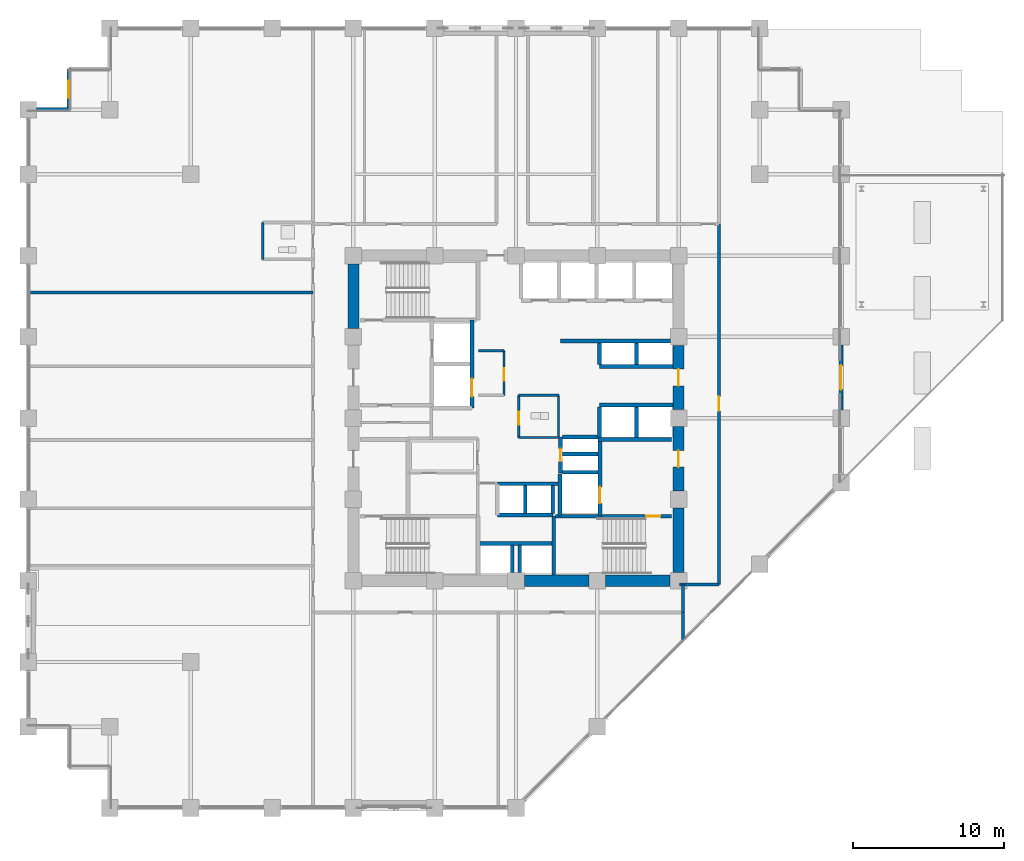
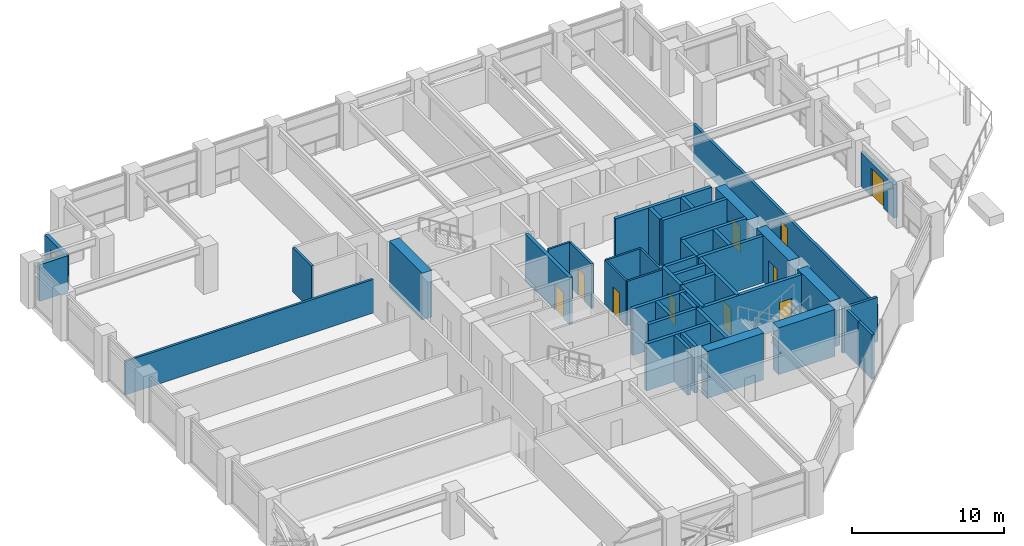
# One storey, part 21 of 30: 45 walls, 10 doors, 1 window, 11 openings.
"""IFC4 building model written with IfcOpenShell, lengths in metres."""

from ifc_helpers import new_model, si_unit, direction, frame, frame_2d, origin, place, context, subcontext, project, spatial, rectangle, extrude, material, layer, layer_set, type_object, element, fill, save


model = new_model("IFC4")

# Units and contexts
model_context = context("Model", 3, precision=1e-05, world=origin(), true_north=direction((0.0, 1.0)))
body_context = subcontext(model_context, "Body", "Model", "MODEL_VIEW")
ifc_project = project(units=[si_unit("LENGTHUNIT", "METRE"), si_unit("AREAUNIT", "SQUARE_METRE"), si_unit("VOLUMEUNIT", "CUBIC_METRE"), si_unit("PLANEANGLEUNIT", "RADIAN"), si_unit("MASSUNIT", "GRAM", prefix="KILO")], contexts=[model_context])

# Site, building, storey
site_placement = place(None, origin())
site = spatial("IfcSite", under=ifc_project, at=site_placement, CompositionType="ELEMENT")
building_placement = place(site_placement, origin())
building = spatial("IfcBuilding", under=site, at=building_placement, Name="Surkhivell Harbour Commons", CompositionType="ELEMENT")
storey_placement = place(building_placement, frame((0.0, 0.0, 83.25)))
storey = spatial("IfcBuildingStorey", under=building, at=storey_placement, Name="L21", CompositionType="ELEMENT", Elevation=83.25)

# Wall
ifc_material_1 = material(Name="Concrete C60/75", Category="concrete")
ifc_layer_1 = layer(ifc_material_1, 0.75)
ifc_layer_set_1 = layer_set([ifc_layer_1], Name="Concrete C60/75")
wall_type_1 = type_object("IfcWallType", Name="WAL-CORE-750", PredefinedType="SHEAR", material=ifc_layer_set_1)
wall_1_placement = place(storey_placement, frame((10.800048828125, -10.239990234375, 0.0), z_axis=(0.0, 0.0, 1.0), x_axis=(0.0, 1.0, 0.0)))
element("IfcWall", 1, at=wall_1_placement, inside=storey, type_object=wall_type_1, Name="L21 Core Shear Wall East 1", PredefinedType="SHEAR", context=body_context, shape_type="SweptSolid", body=[
    extrude(rectangle(XDim=4.280029296875, YDim=0.75, at=frame_2d((2.14013671875, 0.0))), origin(), (0.0, 0.0, 1.0), 3.75),
])

# Wall, opening, door
wall_2_placement = place(storey_placement, frame((10.800048828125, -4.840087890625, 0.0), z_axis=(0.0, 0.0, 1.0), x_axis=(0.0, 1.0, 0.0)))
wall_2 = element("IfcWall", 2, at=wall_2_placement, inside=storey, type_object=wall_type_1, Name="L21 Core Shear Wall East 2", PredefinedType="SHEAR", context=body_context, shape_type="SweptSolid", body=[
    extrude(rectangle(XDim=4.280029296875, YDim=0.75, at=frame_2d((2.14013671875, 0.0))), origin(), (0.0, 0.0, 1.0), 3.75),
])
opening_1_placement = place(wall_2_placement, frame((1.590087890625, 0.0, 0.0)))
opening_1 = element("IfcOpeningElement", 3, at=opening_1_placement, cuts=wall_2, Name="Opening ID-1", PredefinedType="OPENING", context=body_context, shape_type="SweptSolid", body=[
    extrude(rectangle(XDim=1.10009765625, YDim=2.10009765625, at=frame_2d((0.550048828125, 1.050048828125))), frame((0.0, 0.385009765625, 0.0), z_axis=(0.0, -1.0, 0.0), x_axis=(1.0, 0.0, 0.0)), (0.0, 0.0, 1.0), 0.77001953125),
])
ifc_material_2 = material(Name="Hardwood-veneered fire-rated door leaf", Category="wood")
door_type_1 = type_object("IfcDoorType", Name="DOR-FD120-1100", OperationType="NOTDEFINED", PredefinedType="DOOR", material=ifc_material_2)
door_1_placement = place(opening_1_placement, origin())
door_1 = element("IfcDoor", 4, at=door_1_placement, inside=storey, type_object=door_type_1, Name="L21 Firefighting Lobby 2 Corridor Door", OperationType="SINGLE_SWING_RIGHT", OverallHeight=2.10009765625, OverallWidth=1.10009765625, PredefinedType="DOOR", context=body_context, shape_type="SweptSolid", body=[
    extrude(rectangle(XDim=1.10009765625, YDim=2.10009765625, at=frame_2d((0.550048828125, 1.050048828125))), frame((0.0, 0.02490234375, 0.0), z_axis=(0.0, -1.0, 0.0), x_axis=(1.0, 0.0, 0.0)), (0.0, 0.0, 1.0), 0.050048828125),
])
fill(opening_1, door_1)

# Wall
wall_3_placement = place(storey_placement, frame((0.56005859375, -10.800048828125, 0.0), z_axis=(0.0, 0.0, 1.0), x_axis=(1.0, 0.0, 0.0)))
element("IfcWall", 5, at=wall_3_placement, inside=storey, type_object=wall_type_1, Name="L21 Core Shear Wall South 3", PredefinedType="SHEAR", context=body_context, shape_type="SweptSolid", body=[
    extrude(rectangle(XDim=4.280029296875, YDim=0.75, at=frame_2d((2.14013671875, 0.0))), origin(), (0.0, 0.0, 1.0), 3.75),
])

# Wall, opening, door
wall_4_placement = place(storey_placement, frame((10.800048828125, 0.56005859375, 0.0), z_axis=(0.0, 0.0, 1.0), x_axis=(0.0, 1.0, 0.0)))
wall_4 = element("IfcWall", 6, at=wall_4_placement, inside=storey, type_object=wall_type_1, Name="L21 Core Shear Wall East 3", PredefinedType="SHEAR", context=body_context, shape_type="SweptSolid", body=[
    extrude(rectangle(XDim=4.280029296875, YDim=0.75, at=frame_2d((2.14013671875, 0.0))), origin(), (0.0, 0.0, 1.0), 3.75),
])
opening_2_placement = place(wall_4_placement, frame((1.590087890625, 0.0, 0.0)))
opening_2 = element("IfcOpeningElement", 7, at=opening_2_placement, cuts=wall_4, Name="Opening ID-2", PredefinedType="OPENING", context=body_context, shape_type="SweptSolid", body=[
    extrude(rectangle(XDim=1.10009765625, YDim=2.10009765625, at=frame_2d((0.550048828125, 1.050048828125))), frame((0.0, 0.385009765625, 0.0), z_axis=(0.0, -1.0, 0.0), x_axis=(1.0, 0.0, 0.0)), (0.0, 0.0, 1.0), 0.77001953125),
])
door_type_2 = type_object("IfcDoorType", Name="DOR-FD60-1100", OperationType="NOTDEFINED", PredefinedType="DOOR", material=ifc_material_2)
door_2_placement = place(opening_2_placement, origin())
door_2 = element("IfcDoor", 8, at=door_2_placement, inside=storey, type_object=door_type_2, Name="L21 Mid-Rise Lobby East Door", OperationType="SINGLE_SWING_LEFT", OverallHeight=2.10009765625, OverallWidth=1.10009765625, PredefinedType="DOOR", context=body_context, shape_type="SweptSolid", body=[
    extrude(rectangle(XDim=1.10009765625, YDim=2.10009765625, at=frame_2d((0.550048828125, 1.050048828125))), frame((0.0, 0.02490234375, 0.0), z_axis=(0.0, -1.0, 0.0), x_axis=(1.0, 0.0, 0.0)), (0.0, 0.0, 1.0), 0.050048828125),
])
fill(opening_2, door_2)

# Walls
for number, where, z_axis, x_axis, name in (
    (9, (5.9599609375, -10.800048828125, 0.0), (0.0, 0.0, 1.0), (1.0, 0.0, 0.0), "L21 Core Shear Wall South 4"),
    (10, (-10.800048828125, 5.9599609375, 0.0), (0.0, 0.0, 1.0), (0.0, 1.0, 0.0), "L21 Core Shear Wall West 4"),
):
    element("IfcWall", number, at=place(storey_placement, frame(where, z_axis=z_axis, x_axis=x_axis)), inside=storey, type_object=wall_type_1, Name=name, PredefinedType="SHEAR", context=body_context, shape_type="SweptSolid", body=[
        extrude(rectangle(XDim=4.280029296875, YDim=0.75, at=frame_2d((2.14013671875, 0.0))), origin(), (0.0, 0.0, 1.0), 3.75),
    ])

# Wall, opening, door
ifc_material_3 = material(Name="Terracotta-clad reinforced concrete C45/55", Category="masonry")
ifc_layer_2 = layer(ifc_material_3, 0.280029296875)
ifc_layer_set_2 = layer_set([ifc_layer_2], Name="Terracotta-clad reinforced concrete C45/55")
wall_type_2 = type_object("IfcWallType", Name="WAL-EXT-TER280", PredefinedType="STANDARD", material=ifc_layer_set_2)
wall_5_placement = place(storey_placement, frame((21.60009765625, 4.85205078125, 0.0), z_axis=(0.0, 0.0, 1.0), x_axis=(0.0, -1.0, 0.0)))
wall_5 = element("IfcWall", 11, at=wall_5_placement, inside=storey, type_object=wall_type_2, Name="L21 Sky-Garden Portal Wall", PredefinedType="STANDARD", context=body_context, shape_type="SweptSolid", body=[
    extrude(rectangle(XDim=4.303955078125, YDim=0.280029296875, at=frame_2d((2.15185546875, 0.0))), origin(), (0.0, 0.0, 1.0), 2.698974609375),
])
opening_3_placement = place(wall_5_placement, frame((1.35205078125, 0.0, 0.0)))
opening_3 = element("IfcOpeningElement", 12, at=opening_3_placement, cuts=wall_5, Name="Opening ED-3", PredefinedType="OPENING", context=body_context, shape_type="SweptSolid", body=[
    extrude(rectangle(XDim=1.60009765625, YDim=2.25, at=frame_2d((0.800048828125, 1.125))), frame((0.0, 0.14990234375, 0.0), z_axis=(0.0, -1.0, 0.0), x_axis=(1.0, 0.0, 0.0)), (0.0, 0.0, 1.0), 0.300048828125),
])
ifc_material_4 = material(Name="Anodised pale-metal aluminium and laminated safety glass", Category="aluminium")
door_type_3 = type_object("IfcDoorType", Name="DOR-EXT-TERR1600", OperationType="DOUBLE_DOOR_SINGLE_SWING", PredefinedType="DOOR", material=ifc_material_4)
door_3_placement = place(opening_3_placement, origin())
door_3 = element("IfcDoor", 13, at=door_3_placement, inside=storey, type_object=door_type_3, Name="L21 Sky-Garden Terrace Double Door", OperationType="DOUBLE_DOOR_SINGLE_SWING", OverallHeight=2.25, OverallWidth=1.60009765625, PredefinedType="DOOR", context=body_context, shape_type="SweptSolid", body=[
    extrude(rectangle(XDim=1.60009765625, YDim=2.25, at=frame_2d((0.800048828125, 1.125))), frame((0.0, 0.02490234375, 0.0), z_axis=(0.0, -1.0, 0.0), x_axis=(1.0, 0.0, 0.0)), (0.0, 0.0, 1.0), 0.050048828125),
])
fill(opening_3, door_3)

# Wall, opening, window
wall_6_placement = place(storey_placement, frame((-29.699951171875, 23.199951171875, 0.0), z_axis=(0.0, 0.0, 1.0), x_axis=(0.0, -1.0, 0.0)))
wall_6 = element("IfcWall", 14, at=wall_6_placement, inside=storey, type_object=wall_type_2, Name="L21 Serrated Corner Facade Wall 10", PredefinedType="STANDARD", context=body_context, shape_type="SweptSolid", body=[
    extrude(rectangle(XDim=2.699951171875, YDim=0.280029296875, at=frame_2d((1.35009765625, 0.0))), origin(), (0.0, 0.0, 1.0), 2.93310546875),
])
opening_4_placement = place(wall_6_placement, frame((0.77490234375, 0.0, 0.64990234375)))
opening_4 = element("IfcOpeningElement", 15, at=opening_4_placement, cuts=wall_6, Name="Opening WN-10", PredefinedType="OPENING", context=body_context, shape_type="SweptSolid", body=[
    extrude(rectangle(XDim=1.14990234375, YDim=1.550048828125, at=frame_2d((0.574951171875, 0.77490234375))), frame((0.0, 0.14990234375, 0.0), z_axis=(0.0, -1.0, 0.0), x_axis=(1.0, 0.0, 0.0)), (0.0, 0.0, 1.0), 0.300048828125),
])
ifc_material_5 = material(Name="Thermal-break aluminium frame and double low-E glazing", Category="aluminium")
window_type = type_object("IfcWindowType", Name="WIN-SER-1150x1550", PartitioningType="SINGLE_PANEL", PredefinedType="WINDOW", material=ifc_material_5)
window_placement = place(opening_4_placement, origin())
window = element("IfcWindow", 16, at=window_placement, inside=storey, type_object=window_type, Name="L21 Serrated Alcove Window 10", OverallHeight=1.550048828125, OverallWidth=1.14990234375, PartitioningType="SINGLE_PANEL", PredefinedType="WINDOW", context=body_context, shape_type="SweptSolid", body=[
    extrude(rectangle(XDim=1.14990234375, YDim=1.550048828125, at=frame_2d((0.574951171875, 0.77490234375))), frame((0.0, 0.030029296875, 0.0), z_axis=(0.0, -1.0, 0.0), x_axis=(1.0, 0.0, 0.0)), (0.0, 0.0, 1.0), 0.06005859375),
])
fill(opening_4, window)

# Walls
wall_7_placement = place(storey_placement, frame((-29.699951171875, 20.5, 0.0), z_axis=(0.0, 0.0, 1.0), x_axis=(-1.0, 0.0, 0.0)))
element("IfcWall", 17, at=wall_7_placement, inside=storey, type_object=wall_type_2, Name="L21 Serrated Corner Facade Wall 11", PredefinedType="STANDARD", context=body_context, shape_type="SweptSolid", body=[
    extrude(rectangle(XDim=2.152099609375, YDim=0.280029296875, at=frame_2d((1.076171875, 0.0))), origin(), (0.0, 0.0, 1.0), 2.93310546875),
])
ifc_material_6 = material(Name="Twin-stud acoustic fireboard partition", Category="other")
ifc_layer_3 = layer(ifc_material_6, 0.14990234375)
ifc_layer_set_3 = layer_set([ifc_layer_3], Name="Twin-stud acoustic fireboard partition")
wall_type_3 = type_object("IfcWallType", Name="WAL-INT-150", PredefinedType="PARTITIONING", material=ifc_layer_set_3)
wall_8_placement = place(storey_placement, frame((2.820068359375, -1.25, 0.0), z_axis=(0.0, 0.0, 1.0), x_axis=(0.0, 1.0, 0.0)))
element("IfcWall", 18, at=wall_8_placement, inside=storey, type_object=wall_type_3, Name="L21 Core WC East Wall", PredefinedType="PARTITIONING", context=body_context, shape_type="SweptSolid", body=[
    extrude(rectangle(XDim=2.77001953125, YDim=0.14990234375, at=frame_2d((1.385009765625, 0.0))), origin(), (0.0, 0.0, 1.0), 3.570068359375),
])
for number, where, z_axis, x_axis, name in (
    (19, (0.179931640625, 1.52001953125, 0.0), (0.0, 0.0, 1.0), (1.0, 0.0, 0.0), "L21 Core WC North Wall"),
    (20, (0.179931640625, -1.280029296875, 0.0), (0.0, 0.0, 1.0), (1.0, 0.0, 0.0), "L21 Core WC South Wall"),
):
    element("IfcWall", number, at=place(storey_placement, frame(where, z_axis=z_axis, x_axis=x_axis)), inside=storey, type_object=wall_type_3, Name=name, PredefinedType="PARTITIONING", context=body_context, shape_type="SweptSolid", body=[
        extrude(rectangle(XDim=2.670166015625, YDim=0.14990234375, at=frame_2d((1.3349609375, 0.0))), origin(), (0.0, 0.0, 1.0), 3.570068359375),
    ])

# Wall, opening, door
wall_9_placement = place(storey_placement, frame((0.179931640625, -1.280029296875, 0.0), z_axis=(0.0, 0.0, 1.0), x_axis=(0.0, 1.0, 0.0)))
wall_9 = element("IfcWall", 21, at=wall_9_placement, inside=storey, type_object=wall_type_3, Name="L21 Core Accessible WC West Wall", PredefinedType="PARTITIONING", context=body_context, shape_type="SweptSolid", body=[
    extrude(rectangle(XDim=2.800048828125, YDim=0.14990234375, at=frame_2d((1.39990234375, 0.0))), origin(), (0.0, 0.0, 1.0), 3.570068359375),
])
opening_5_placement = place(wall_9_placement, frame((0.85009765625, 0.0, 0.0)))
opening_5 = element("IfcOpeningElement", 22, at=opening_5_placement, cuts=wall_9, Name="Opening ID-6", PredefinedType="OPENING", context=body_context, shape_type="SweptSolid", body=[
    extrude(rectangle(XDim=0.85009765625, YDim=2.10009765625, at=frame_2d((0.425048828125, 1.050048828125))), frame((0.0, 0.0849609375, 0.0), z_axis=(0.0, -1.0, 0.0), x_axis=(1.0, 0.0, 0.0)), (0.0, 0.0, 1.0), 0.169921875),
])
door_type_4 = type_object("IfcDoorType", Name="DOR-FD30-850", OperationType="NOTDEFINED", PredefinedType="DOOR", material=ifc_material_2)
door_4_placement = place(opening_5_placement, origin())
door_4 = element("IfcDoor", 23, at=door_4_placement, inside=storey, type_object=door_type_4, Name="L21 Floor Accessible WC Door", OperationType="SINGLE_SWING_RIGHT", OverallHeight=2.10009765625, OverallWidth=0.85009765625, PredefinedType="DOOR", context=body_context, shape_type="SweptSolid", body=[
    extrude(rectangle(XDim=0.85009765625, YDim=2.10009765625, at=frame_2d((0.425048828125, 1.050048828125))), frame((0.0, 0.02490234375, 0.0), z_axis=(0.0, -1.0, 0.0), x_axis=(1.0, 0.0, 0.0)), (0.0, 0.0, 1.0), 0.050048828125),
])
fill(opening_5, door_4)

wall_10_placement = place(storey_placement, frame((-0.800048828125, 1.52001953125, 0.0), z_axis=(0.0, 0.0, 1.0), x_axis=(0.0, 1.0, 0.0)))
wall_10 = element("IfcWall", 24, at=wall_10_placement, inside=storey, type_object=wall_type_3, Name="L21 Core Seminar East Wall", PredefinedType="PARTITIONING", context=body_context, shape_type="SweptSolid", body=[
    extrude(rectangle(XDim=2.9599609375, YDim=0.14990234375, at=frame_2d((1.47998046875, 0.0))), origin(), (0.0, 0.0, 1.0), 3.570068359375),
])
opening_6_placement = place(wall_10_placement, frame((0.949951171875, 0.0, 0.0)))
opening_6 = element("IfcOpeningElement", 25, at=opening_6_placement, cuts=wall_10, Name="Opening ID-6", PredefinedType="OPENING", context=body_context, shape_type="SweptSolid", body=[
    extrude(rectangle(XDim=0.85009765625, YDim=2.10009765625, at=frame_2d((0.425048828125, 1.050048828125))), frame((0.0, 0.0849609375, 0.0), z_axis=(0.0, -1.0, 0.0), x_axis=(1.0, 0.0, 0.0)), (0.0, 0.0, 1.0), 0.169921875),
])
door_5_placement = place(opening_6_placement, origin())
door_5 = element("IfcDoor", 26, at=door_5_placement, inside=storey, type_object=door_type_4, Name="L21 Central Seminar Door", OperationType="SINGLE_SWING_LEFT", OverallHeight=2.10009765625, OverallWidth=0.85009765625, PredefinedType="DOOR", context=body_context, shape_type="SweptSolid", body=[
    extrude(rectangle(XDim=0.85009765625, YDim=2.10009765625, at=frame_2d((0.425048828125, 1.050048828125))), frame((0.0, 0.02490234375, 0.0), z_axis=(0.0, -1.0, 0.0), x_axis=(1.0, 0.0, 0.0)), (0.0, 0.0, 1.0), 0.050048828125),
])
fill(opening_6, door_5)

# Walls
wall_11_placement = place(storey_placement, frame((-2.47998046875, 4.47998046875, 0.0), z_axis=(0.0, 0.0, 1.0), x_axis=(1.0, 0.0, 0.0)))
element("IfcWall", 27, at=wall_11_placement, inside=storey, type_object=wall_type_3, Name="L21 Core Seminar North Wall", PredefinedType="PARTITIONING", context=body_context, shape_type="SweptSolid", body=[
    extrude(rectangle(XDim=1.679931640625, YDim=0.14990234375, at=frame_2d((0.83984375, 0.0))), origin(), (0.0, 0.0, 1.0), 3.570068359375),
])
ifc_material_7 = material(Name="High-density acoustic blockwork fire partition", Category="masonry")
ifc_layer_4 = layer(ifc_material_7, 0.175048828125)
ifc_layer_set_4 = layer_set([ifc_layer_4], Name="High-density acoustic blockwork fire partition")
wall_type_4 = type_object("IfcWallType", Name="WAL-INT-175", PredefinedType="PARTITIONING", material=ifc_layer_set_4)
wall_12_placement = place(storey_placement, frame((-16.830078125, 10.550048828125, 0.0), z_axis=(0.0, 0.0, 1.0), x_axis=(0.0, 1.0, 0.0)))
element("IfcWall", 28, at=wall_12_placement, inside=storey, type_object=wall_type_4, Name="L21 West Partition BTHB", PredefinedType="PARTITIONING", context=body_context, shape_type="SweptSolid", body=[
    extrude(rectangle(XDim=2.449951171875, YDim=0.175048828125, at=frame_2d((1.22509765625, 0.0))), origin(), (0.0, 0.0, 1.0), 3.570068359375),
])
wall_13_placement = place(storey_placement, frame((-32.340087890625, 8.35009765625, 0.0), z_axis=(0.0, 0.0, 1.0), x_axis=(1.0, 0.0, 0.0)))
element("IfcWall", 29, at=wall_13_placement, inside=storey, type_object=wall_type_4, Name="L21 West Partition PTOP", PredefinedType="PARTITIONING", context=body_context, shape_type="SweptSolid", body=[
    extrude(rectangle(XDim=18.860107421875, YDim=0.175048828125, at=frame_2d((9.43017578125, 0.0))), origin(), (0.0, 0.0, 1.0), 2.698974609375),
])
ifc_material_8 = material(Name="Autoclaved aerated concrete blockwork and fire plaster", Category="masonry")
ifc_layer_5 = layer(ifc_material_8, 0.199951171875)
ifc_layer_set_5 = layer_set([ifc_layer_5], Name="Autoclaved aerated concrete blockwork and fire plaster")
wall_type_5 = type_object("IfcWallType", Name="WAL-INT-200", PredefinedType="PARTITIONING", material=ifc_layer_set_5)
wall_14_placement = place(storey_placement, frame((11.10009765625, -14.715087890625, 0.0), z_axis=(0.0, 0.0, 1.0), x_axis=(0.0, 1.0, 0.0)))
element("IfcWall", 30, at=wall_14_placement, inside=storey, type_object=wall_type_5, Name="L21 South-East Wing Corner Divider", PredefinedType="PARTITIONING", context=body_context, shape_type="SweptSolid", body=[
    extrude(rectangle(XDim=1.815185546875, YDim=0.199951171875, at=frame_2d((0.90771484375, 0.0))), origin(), (0.0, 0.0, 1.0), 3.570068359375),
])

# Wall, opening, door
wall_15_placement = place(storey_placement, frame((13.47998046875, -11.0400390625, 0.0), z_axis=(0.0, 0.0, 1.0), x_axis=(0.0, 1.0, 0.0)))
wall_15 = element("IfcWall", 31, at=wall_15_placement, inside=storey, type_object=wall_type_5, Name="L21 Corridor East Wall", PredefinedType="PARTITIONING", context=body_context, shape_type="SweptSolid", body=[
    extrude(rectangle(XDim=23.93994140625, YDim=0.199951171875, at=frame_2d((11.969970703125, 0.0))), origin(), (0.0, 0.0, 1.0), 2.93310546875),
])
opening_7_placement = place(wall_15_placement, frame((11.52001953125, 0.0, 0.0)))
opening_7 = element("IfcOpeningElement", 32, at=opening_7_placement, cuts=wall_15, Name="Opening ID-4", PredefinedType="OPENING", context=body_context, shape_type="SweptSolid", body=[
    extrude(rectangle(XDim=0.949951171875, YDim=2.10009765625, at=frame_2d((0.47509765625, 1.050048828125))), frame((0.0, 0.10986328125, 0.0), z_axis=(0.0, -1.0, 0.0), x_axis=(1.0, 0.0, 0.0)), (0.0, 0.0, 1.0), 0.219970703125),
])
door_type_5 = type_object("IfcDoorType", Name="DOR-FD60-950", OperationType="NOTDEFINED", PredefinedType="DOOR", material=ifc_material_2)
door_6_placement = place(opening_7_placement, origin())
door_6 = element("IfcDoor", 33, at=door_6_placement, inside=storey, type_object=door_type_5, Name="L21 Harbour Social Lounge East Door", OperationType="SINGLE_SWING_RIGHT", OverallHeight=2.10009765625, OverallWidth=0.949951171875, PredefinedType="DOOR", context=body_context, shape_type="SweptSolid", body=[
    extrude(rectangle(XDim=0.949951171875, YDim=2.10009765625, at=frame_2d((0.47509765625, 1.050048828125))), frame((0.0, 0.02490234375, 0.0), z_axis=(0.0, -1.0, 0.0), x_axis=(1.0, 0.0, 0.0)), (0.0, 0.0, 1.0), 0.050048828125),
])
fill(opening_7, door_6)

# Walls
wall_16_placement = place(storey_placement, frame((10.85009765625, -11.0400390625, 0.0), z_axis=(0.0, 0.0, 1.0), x_axis=(1.0, 0.0, 0.0)))
element("IfcWall", 34, at=wall_16_placement, inside=storey, type_object=wall_type_5, Name="L21 Corridor East South Closure Wall", PredefinedType="PARTITIONING", context=body_context, shape_type="SweptSolid", body=[
    extrude(rectangle(XDim=2.6298828125, YDim=0.199951171875, at=frame_2d((1.31494140625, 0.0))), origin(), (0.0, 0.0, 1.0), 3.570068359375),
])
wall_17_placement = place(storey_placement, frame((11.10009765625, -12.89990234375, 0.0), z_axis=(0.0, 0.0, 1.0), x_axis=(0.0, 1.0, 0.0)))
element("IfcWall", 35, at=wall_17_placement, inside=storey, type_object=wall_type_5, Name="L21 Corridor SE Closure Wall", PredefinedType="PARTITIONING", context=body_context, shape_type="SweptSolid", body=[
    extrude(rectangle(XDim=1.85986328125, YDim=0.199951171875, at=frame_2d((0.929931640625, 0.0))), origin(), (0.0, 0.0, 1.0), 3.570068359375),
])
ifc_material_9 = material(Name="Concrete C50/60", Category="concrete")
ifc_layer_6 = layer(ifc_material_9, 0.25)
ifc_layer_set_6 = layer_set([ifc_layer_6], Name="Concrete C50/60")
wall_type_6 = type_object("IfcWallType", Name="WAL-SHAFT-250", PredefinedType="SHEAR", material=ifc_layer_set_6)
wall_18_placement = place(storey_placement, frame((2.929931640625, -6.510009765625, 0.0), z_axis=(0.0, 0.0, 1.0), x_axis=(0.0, 1.0, 0.0)))
element("IfcWall", 36, at=wall_18_placement, inside=storey, type_object=wall_type_6, Name="L21 FFL2 West Shaft Wall", PredefinedType="SHEAR", context=body_context, shape_type="SweptSolid", body=[
    extrude(rectangle(XDim=2.7900390625, YDim=0.25, at=frame_2d((1.39501953125, 0.0))), origin(), (0.0, 0.0, 1.0), 3.75),
])
wall_19_placement = place(storey_placement, frame((5.43994140625, -1.419921875, 0.0), z_axis=(0.0, 0.0, 1.0), x_axis=(1.0, 0.0, 0.0)))
element("IfcWall", 37, at=wall_19_placement, inside=storey, type_object=wall_type_6, Name="L21 Firefighting Lobby 2 North Wall", PredefinedType="SHEAR", context=body_context, shape_type="SweptSolid", body=[
    extrude(rectangle(XDim=4.900146484375, YDim=0.25, at=frame_2d((2.4501953125, 0.0))), origin(), (0.0, 0.0, 1.0), 3.75),
])
wall_20_placement = place(storey_placement, frame((3.080078125, -3.60009765625, 0.0), z_axis=(0.0, 0.0, 1.0), x_axis=(1.0, 0.0, 0.0)))
element("IfcWall", 38, at=wall_20_placement, inside=storey, type_object=wall_type_6, Name="L21 FFL2 North Shaft Wall", PredefinedType="SHEAR", context=body_context, shape_type="SweptSolid", body=[
    extrude(rectangle(XDim=2.369873046875, YDim=0.25, at=frame_2d((1.18505859375, 0.0))), origin(), (0.0, 0.0, 1.0), 3.75),
])

# Wall, opening, door
wall_21_placement = place(storey_placement, frame((5.580078125, -6.510009765625, 0.0), z_axis=(0.0, 0.0, 1.0), x_axis=(0.0, 1.0, 0.0)))
wall_21 = element("IfcWall", 39, at=wall_21_placement, inside=storey, type_object=wall_type_6, Name="L21 Firefighting Lobby 2 West Shaft Wall", PredefinedType="SHEAR", context=body_context, shape_type="SweptSolid", body=[
    extrude(rectangle(XDim=5.090087890625, YDim=0.25, at=frame_2d((2.544921875, 0.0))), origin(), (0.0, 0.0, 1.0), 3.75),
])
opening_8_placement = place(wall_21_placement, frame((0.85009765625, 0.0, 0.0)))
opening_8 = element("IfcOpeningElement", 40, at=opening_8_placement, cuts=wall_21, Name="Opening LD-1", PredefinedType="OPENING", context=body_context, shape_type="SweptSolid", body=[
    extrude(rectangle(XDim=1.10009765625, YDim=2.10009765625, at=frame_2d((0.550048828125, 1.050048828125))), frame((0.0, 0.135009765625, 0.0), z_axis=(0.0, -1.0, 0.0), x_axis=(1.0, 0.0, 0.0)), (0.0, 0.0, 1.0), 0.27001953125),
])
ifc_material_10 = material(Name="Brushed stainless steel S355", Category="steel")
door_type_6 = type_object("IfcDoorType", Name="DOR-LD-1100", OperationType="SLIDING_TO_LEFT", PredefinedType="DOOR", material=ifc_material_10)
door_7_placement = place(opening_8_placement, origin())
door_7 = element("IfcDoor", 41, at=door_7_placement, inside=storey, type_object=door_type_6, Name="L21 Lift Landing Door LD-FFL2", OperationType="SLIDING_TO_RIGHT", OverallHeight=2.10009765625, OverallWidth=1.10009765625, PredefinedType="DOOR", context=body_context, shape_type="SweptSolid", body=[
    extrude(rectangle(XDim=1.10009765625, YDim=2.10009765625, at=frame_2d((0.550048828125, 1.050048828125))), frame((0.0, 0.02490234375, 0.0), z_axis=(0.0, -1.0, 0.0), x_axis=(1.0, 0.0, 0.0)), (0.0, 0.0, 1.0), 0.050048828125),
])
fill(opening_8, door_7)

# Walls
for number, where, z_axis, x_axis, name in (
    (42, (0.6201171875, -6.340087890625, 0.0), (0.0, 0.0, 1.0), (0.0, 1.0, 0.0), "L21 High-Rise Side Wall N"),
    (43, (2.449951171875, -6.340087890625, 0.0), (0.0, 0.0, 1.0), (0.0, 1.0, 0.0), "L21 High-Rise Side Wall N"),
):
    element("IfcWall", number, at=place(storey_placement, frame(where, z_axis=z_axis, x_axis=x_axis)), inside=storey, type_object=wall_type_6, Name=name, PredefinedType="SHEAR", context=body_context, shape_type="SweptSolid", body=[
        extrude(rectangle(XDim=1.880126953125, YDim=0.25, at=frame_2d((0.93994140625, 0.0))), origin(), (0.0, 0.0, 1.0), 3.75),
    ])
for number, where, z_axis, x_axis, name in (
    (44, (-0.25, -10.25, 0.0), (0.0, 0.0, 1.0), (0.0, 1.0, 0.0), "L21 High-Rise Side Wall S"),
    (45, (0.25, -10.25, 0.0), (0.0, 0.0, 1.0), (0.0, 1.0, 0.0), "L21 High-Rise Side Wall S"),
):
    element("IfcWall", number, at=place(storey_placement, frame(where, z_axis=z_axis, x_axis=x_axis)), inside=storey, type_object=wall_type_6, Name=name, PredefinedType="SHEAR", context=body_context, shape_type="SweptSolid", body=[
        extrude(rectangle(XDim=1.81005859375, YDim=0.25, at=frame_2d((0.905029296875, 0.0))), origin(), (0.0, 0.0, 1.0), 3.75),
    ])
wall_22_placement = place(storey_placement, frame((-1.219970703125, -6.43994140625, 0.0), z_axis=(0.0, 0.0, 1.0), x_axis=(1.0, 0.0, 0.0)))
element("IfcWall", 46, at=wall_22_placement, inside=storey, type_object=wall_type_6, Name="L21 High-Rise North Front Shaft Wall", PredefinedType="SHEAR", context=body_context, shape_type="SweptSolid", body=[
    extrude(rectangle(XDim=3.669921875, YDim=0.25, at=frame_2d((1.8349609375, 0.0))), origin(), (0.0, 0.0, 1.0), 3.75),
])
wall_23_placement = place(storey_placement, frame((-2.47998046875, -8.320068359375, 0.0), z_axis=(0.0, 0.0, 1.0), x_axis=(1.0, 0.0, 0.0)))
element("IfcWall", 47, at=wall_23_placement, inside=storey, type_object=wall_type_6, Name="L21 High-Rise South Front Shaft Wall", PredefinedType="SHEAR", context=body_context, shape_type="SweptSolid", body=[
    extrude(rectangle(XDim=4.929931640625, YDim=0.25, at=frame_2d((2.46484375, 0.0))), origin(), (0.0, 0.0, 1.0), 3.75),
])
wall_24_placement = place(storey_placement, frame((-1.219970703125, -4.360107421875, 0.0), z_axis=(0.0, 0.0, 1.0), x_axis=(1.0, 0.0, 0.0)))
element("IfcWall", 48, at=wall_24_placement, inside=storey, type_object=wall_type_6, Name="L21 High-Rise North Back Shaft Wall", PredefinedType="SHEAR", context=body_context, shape_type="SweptSolid", body=[
    extrude(rectangle(XDim=4.030029296875, YDim=0.25, at=frame_2d((2.01513671875, 0.0))), origin(), (0.0, 0.0, 1.0), 3.75),
])
wall_25_placement = place(storey_placement, frame((2.949951171875, 5.1201171875, 0.0), z_axis=(0.0, 0.0, 1.0), x_axis=(1.0, 0.0, 0.0)))
element("IfcWall", 49, at=wall_25_placement, inside=storey, type_object=wall_type_6, Name="L21 Low-Rise Lobby South Wall", PredefinedType="SHEAR", context=body_context, shape_type="SweptSolid", body=[
    extrude(rectangle(XDim=7.300048828125, YDim=0.25, at=frame_2d((3.64990234375, 0.0))), origin(), (0.0, 0.0, 1.0), 3.75),
])
for number, where, z_axis, x_axis, name in (
    (50, (5.550048828125, 3.550048828125, 0.0), (0.0, 0.0, 1.0), (0.0, 1.0, 0.0), "L21 Mid-Rise Shaft Side Wall N"),
    (51, (8.0, 3.550048828125, 0.0), (0.0, 0.0, 1.0), (0.0, 1.0, 0.0), "L21 Mid-Rise Shaft Side Wall N"),
):
    element("IfcWall", number, at=place(storey_placement, frame(where, z_axis=z_axis, x_axis=x_axis)), inside=storey, type_object=wall_type_6, Name=name, PredefinedType="SHEAR", context=body_context, shape_type="SweptSolid", body=[
        extrude(rectangle(XDim=1.449951171875, YDim=0.25, at=frame_2d((0.72509765625, 0.0))), origin(), (0.0, 0.0, 1.0), 3.75),
    ])
for number, where, z_axis, x_axis, name in (
    (52, (5.550048828125, -1.300048828125, 0.0), (0.0, 0.0, 1.0), (0.0, 1.0, 0.0), "L21 Mid-Rise Shaft Side Wall S"),
    (53, (8.0, -1.300048828125, 0.0), (0.0, 0.0, 1.0), (0.0, 1.0, 0.0), "L21 Mid-Rise Shaft Side Wall S"),
):
    element("IfcWall", number, at=place(storey_placement, frame(where, z_axis=z_axis, x_axis=x_axis)), inside=storey, type_object=wall_type_6, Name=name, PredefinedType="SHEAR", context=body_context, shape_type="SweptSolid", body=[
        extrude(rectangle(XDim=2.0400390625, YDim=0.25, at=frame_2d((1.02001953125, 0.0))), origin(), (0.0, 0.0, 1.0), 3.75),
    ])
for number, where, z_axis, x_axis, name in (
    (54, (5.550048828125, 3.429931640625, 0.0), (0.0, 0.0, 1.0), (1.0, 0.0, 0.0), "L21 Mid-Rise North Front Shaft Wall"),
    (55, (5.550048828125, 0.8701171875, 0.0), (0.0, 0.0, 1.0), (1.0, 0.0, 0.0), "L21 Mid-Rise South Front Shaft Wall"),
):
    element("IfcWall", number, at=place(storey_placement, frame(where, z_axis=z_axis, x_axis=x_axis)), inside=storey, type_object=wall_type_6, Name=name, PredefinedType="SHEAR", context=body_context, shape_type="SweptSolid", body=[
        extrude(rectangle(XDim=4.875, YDim=0.25, at=frame_2d((2.4375, 0.0))), origin(), (0.0, 0.0, 1.0), 3.75),
    ])
for number, where, z_axis, x_axis, name in (
    (56, (3.080078125, -2.3798828125, 0.0), (0.0, 0.0, 1.0), (1.0, 0.0, 0.0), "L21 Riser Divider Wall"),
    (57, (3.080078125, -1.25, 0.0), (0.0, 0.0, 1.0), (1.0, 0.0, 0.0), "L21 Riser North Wall"),
):
    element("IfcWall", number, at=place(storey_placement, frame(where, z_axis=z_axis, x_axis=x_axis)), inside=storey, type_object=wall_type_6, Name=name, PredefinedType="SHEAR", context=body_context, shape_type="SweptSolid", body=[
        extrude(rectangle(XDim=2.369873046875, YDim=0.25, at=frame_2d((1.18505859375, 0.0))), origin(), (0.0, 0.0, 1.0), 3.75),
    ])

# Wall, opening, door
wall_26_placement = place(storey_placement, frame((2.949951171875, -3.64990234375, 0.0), z_axis=(0.0, 0.0, 1.0), x_axis=(0.0, 1.0, 0.0)))
wall_26 = element("IfcWall", 58, at=wall_26_placement, inside=storey, type_object=wall_type_6, Name="L21 Riser Shaft West Wall", PredefinedType="SHEAR", context=body_context, shape_type="SweptSolid", body=[
    extrude(rectangle(XDim=2.39990234375, YDim=0.25, at=frame_2d((1.199951171875, 0.0))), origin(), (0.0, 0.0, 1.0), 3.75),
])
opening_9_placement = place(wall_26_placement, frame((0.77490234375, 0.0, 0.0)))
opening_9 = element("IfcOpeningElement", 59, at=opening_9_placement, cuts=wall_26, Name="Opening ID-6", PredefinedType="OPENING", context=body_context, shape_type="SweptSolid", body=[
    extrude(rectangle(XDim=0.85009765625, YDim=2.10009765625, at=frame_2d((0.425048828125, 1.050048828125))), frame((0.0, 0.135009765625, 0.0), z_axis=(0.0, -1.0, 0.0), x_axis=(1.0, 0.0, 0.0)), (0.0, 0.0, 1.0), 0.27001953125),
])
door_8_placement = place(opening_9_placement, origin())
door_8 = element("IfcDoor", 60, at=door_8_placement, inside=storey, type_object=door_type_4, Name="L21 Electrical Riser Access Door", OperationType="SINGLE_SWING_LEFT", OverallHeight=2.10009765625, OverallWidth=0.85009765625, PredefinedType="DOOR", context=body_context, shape_type="SweptSolid", body=[
    extrude(rectangle(XDim=0.85009765625, YDim=2.10009765625, at=frame_2d((0.425048828125, 1.050048828125))), frame((0.0, 0.02490234375, 0.0), z_axis=(0.0, -1.0, 0.0), x_axis=(1.0, 0.0, 0.0)), (0.0, 0.0, 1.0), 0.050048828125),
])
fill(opening_9, door_8)

wall_27_placement = place(storey_placement, frame((2.639892578125, -6.510009765625, 0.0), z_axis=(0.0, 0.0, 1.0), x_axis=(1.0, 0.0, 0.0)))
wall_27 = element("IfcWall", 61, at=wall_27_placement, inside=storey, type_object=wall_type_6, Name="L21 Stair ST2 North Shear Wall", PredefinedType="SHEAR", context=body_context, shape_type="SweptSolid", body=[
    extrude(rectangle(XDim=7.7001953125, YDim=0.25, at=frame_2d((3.85009765625, 0.0))), origin(), (0.0, 0.0, 1.0), 3.75),
])
opening_10_placement = place(wall_27_placement, frame((6.0, 0.0, 0.0)))
opening_10 = element("IfcOpeningElement", 62, at=opening_10_placement, cuts=wall_27, Name="Opening ID-4", PredefinedType="OPENING", context=body_context, shape_type="SweptSolid", body=[
    extrude(rectangle(XDim=0.949951171875, YDim=2.10009765625, at=frame_2d((0.47509765625, 1.050048828125))), frame((0.0, 0.135009765625, 0.0), z_axis=(0.0, -1.0, 0.0), x_axis=(1.0, 0.0, 0.0)), (0.0, 0.0, 1.0), 0.27001953125),
])
door_9_placement = place(opening_10_placement, origin())
door_9 = element("IfcDoor", 63, at=door_9_placement, inside=storey, type_object=door_type_5, Name="L21 Stair ST2 Exit Door", OperationType="SINGLE_SWING_RIGHT", OverallHeight=2.10009765625, OverallWidth=0.949951171875, PredefinedType="DOOR", context=body_context, shape_type="SweptSolid", body=[
    extrude(rectangle(XDim=0.949951171875, YDim=2.10009765625, at=frame_2d((0.47509765625, 1.050048828125))), frame((0.0, 0.02490234375, 0.0), z_axis=(0.0, -1.0, 0.0), x_axis=(1.0, 0.0, 0.0)), (0.0, 0.0, 1.0), 0.050048828125),
])
fill(opening_10, door_9)

# Wall
wall_28_placement = place(storey_placement, frame((2.510009765625, -10.425048828125, 0.0), z_axis=(0.0, 0.0, 1.0), x_axis=(0.0, 1.0, 0.0)))
element("IfcWall", 64, at=wall_28_placement, inside=storey, type_object=wall_type_6, Name="L21 Stair ST2 West Shear Wall", PredefinedType="SHEAR", context=body_context, shape_type="SweptSolid", body=[
    extrude(rectangle(XDim=3.9150390625, YDim=0.25, at=frame_2d((1.95751953125, 0.0))), origin(), (0.0, 0.0, 1.0), 3.75),
])

# Wall, opening, door
wall_29_placement = place(storey_placement, frame((-2.929931640625, 0.679931640625, 0.0), z_axis=(0.0, 0.0, 1.0), x_axis=(0.0, 1.0, 0.0)))
wall_29 = element("IfcWall", 65, at=wall_29_placement, inside=storey, type_object=wall_type_6, Name="L21 Service and Fire Lift East Shaft Wall", PredefinedType="SHEAR", context=body_context, shape_type="SweptSolid", body=[
    extrude(rectangle(XDim=5.830078125, YDim=0.25, at=frame_2d((2.9150390625, 0.0))), origin(), (0.0, 0.0, 1.0), 3.75),
])
opening_11_placement = place(wall_29_placement, frame((0.75, 0.0, 0.0)))
opening_11 = element("IfcOpeningElement", 66, at=opening_11_placement, cuts=wall_29, Name="Opening LD-2", PredefinedType="OPENING", context=body_context, shape_type="SweptSolid", body=[
    extrude(rectangle(XDim=1.199951171875, YDim=2.10009765625, at=frame_2d((0.60009765625, 1.050048828125))), frame((0.0, 0.135009765625, 0.0), z_axis=(0.0, -1.0, 0.0), x_axis=(1.0, 0.0, 0.0)), (0.0, 0.0, 1.0), 0.27001953125),
])
door_type_7 = type_object("IfcDoorType", Name="DOR-LD-1200", OperationType="SLIDING_TO_LEFT", PredefinedType="DOOR", material=ifc_material_10)
door_10_placement = place(opening_11_placement, origin())
door_10 = element("IfcDoor", 67, at=door_10_placement, inside=storey, type_object=door_type_7, Name="L21 Lift Landing Door LD-SVL1", OperationType="SLIDING_TO_LEFT", OverallHeight=2.10009765625, OverallWidth=1.199951171875, PredefinedType="DOOR", context=body_context, shape_type="SweptSolid", body=[
    extrude(rectangle(XDim=1.199951171875, YDim=2.10009765625, at=frame_2d((0.60009765625, 1.050048828125))), frame((0.0, 0.02490234375, 0.0), z_axis=(0.0, -1.0, 0.0), x_axis=(1.0, 0.0, 0.0)), (0.0, 0.0, 1.0), 0.050048828125),
])
fill(opening_11, door_10)

save(model, "model.ifc")
